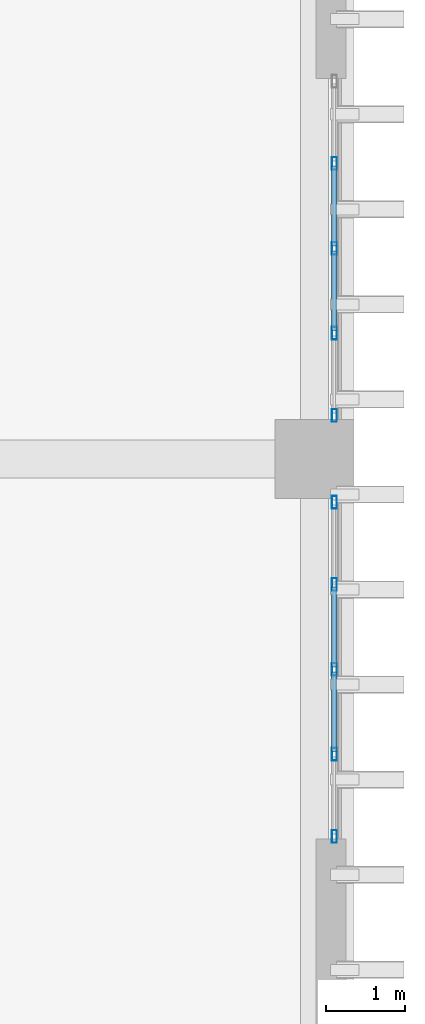
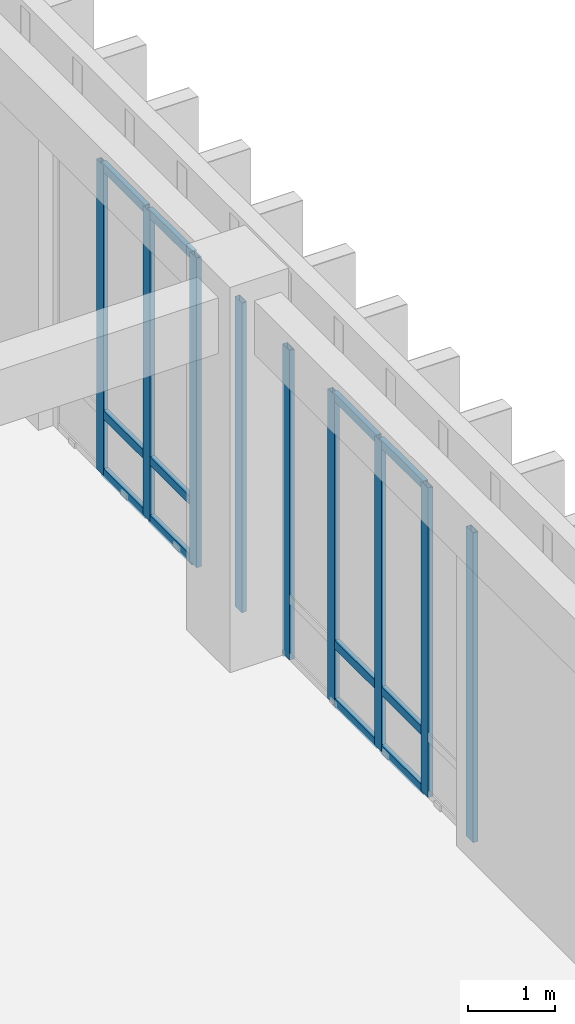
# One storey, part 62 of 134: 21 members, 2 elements without a shape of their own.
"""IFC4 building model written with IfcOpenShell, lengths in metres."""

from ifc_helpers import new_model, si_unit, direction, frame, origin, origin_2d, place, context, subcontext, project, spatial, hollow_rectangle, extrude, material, layer, layer_set, material_profile, profile_set, type_object, element, aggregate, save


model = new_model("IFC4")

# Units and contexts
model_context = context("Model", 3, precision=1e-05, world=origin(), true_north=direction((0.0, 1.0)))
body_context = subcontext(model_context, "Body", "Model", "MODEL_VIEW")
ifc_project = project(units=[si_unit("LENGTHUNIT", "METRE"), si_unit("AREAUNIT", "SQUARE_METRE"), si_unit("VOLUMEUNIT", "CUBIC_METRE"), si_unit("PLANEANGLEUNIT", "RADIAN"), si_unit("MASSUNIT", "GRAM", prefix="KILO")], contexts=[model_context])

# Site, building, storey
site_placement = place(None, origin())
site = spatial("IfcSite", under=ifc_project, at=site_placement, CompositionType="ELEMENT")
building_placement = place(site_placement, origin())
building = spatial("IfcBuilding", under=site, at=building_placement, Name="Nakhvara Creek Congress Hotel", CompositionType="ELEMENT")
storey_placement = place(building_placement, frame((0.0, 0.0, 6.0)))
storey = spatial("IfcBuildingStorey", under=building, at=storey_placement, Name="L01", CompositionType="ELEMENT", Elevation=6.0)

# Curtain wall, members
ifc_material_1 = material(Name="Bronze-anodised aluminium AW-6063-T6 and double-silver low-E glass", Category="aluminium")
ifc_layer = layer(ifc_material_1, 0.199951171875)
ifc_layer_set = layer_set([ifc_layer], Name="Bronze-anodised aluminium AW-6063-T6 and double-silver low-E glass")
curtain_wall_type = type_object("IfcCurtainWallType", Name="CW-HTL-UNIT", PredefinedType="USERDEFINED", material=ifc_layer_set)
curtain_wall_1_placement = place(storey_placement, origin())
curtain_wall_1 = element("IfcCurtainWall", 1, at=curtain_wall_1_placement, inside=storey, type_object=curtain_wall_type, Name="Curtain Wall CW108", ObjectType="UNITISED", PredefinedType="USERDEFINED")
ifc_material_2 = material(Name="Bronze-anodised aluminium AW-6063-T6", Category="aluminium")
ifc_material_profile_1 = material_profile(ifc_material_2, hollow_rectangle(XDim=0.06494140625, YDim=0.159912109375, WallThickness=0.00390625, at=origin_2d()), Name="ALU-MULL 65x160x4", Category="LoadBearing")
ifc_profile_set_1 = profile_set([ifc_material_profile_1], Name="Bronze-anodised aluminium AW-6063-T6")
member_type_1 = type_object("IfcMemberType", Name="CW-MULL-160", PredefinedType="MULLION", material=ifc_profile_set_1)
member_1_placement = place(storey_placement, frame((179.60009765625, 18.652587890625, 0.0), z_axis=(0.0, 0.0, 1.0), x_axis=(1.0, 0.0, 0.0)))
member_1 = element("IfcMember", 2, at=member_1_placement, type_object=member_type_1, Name="CW108 mullion 1", PredefinedType="MULLION", context=body_context, shape_type="SweptSolid", body=[
    extrude(hollow_rectangle(XDim=0.06494140625, YDim=0.159912109375, WallThickness=0.00390625, at=origin_2d()), origin(), (0.0, 0.0, 1.0), 4.342041015625),
])
member_2_placement = place(storey_placement, frame((179.60009765625, 17.61376953125, 0.0), z_axis=(0.0, 0.0, 1.0), x_axis=(1.0, 0.0, 0.0)))
member_2 = element("IfcMember", 3, at=member_2_placement, type_object=member_type_1, Name="CW108 mullion 2", PredefinedType="MULLION", context=body_context, shape_type="SweptSolid", body=[
    extrude(hollow_rectangle(XDim=0.06494140625, YDim=0.159912109375, WallThickness=0.00390625, at=origin_2d()), origin(), (0.0, 0.0, 1.0), 4.342041015625),
])
member_3_placement = place(storey_placement, frame((179.60009765625, 16.54248046875, 0.0), z_axis=(0.0, 0.0, 1.0), x_axis=(1.0, 0.0, 0.0)))
member_3 = element("IfcMember", 4, at=member_3_placement, type_object=member_type_1, Name="CW108 mullion 3", PredefinedType="MULLION", context=body_context, shape_type="SweptSolid", body=[
    extrude(hollow_rectangle(XDim=0.06494140625, YDim=0.159912109375, WallThickness=0.00390625, at=origin_2d()), origin(), (0.0, 0.0, 1.0), 4.342041015625),
])
member_4_placement = place(storey_placement, frame((179.60009765625, 15.47119140625, 0.0), z_axis=(0.0, 0.0, 1.0), x_axis=(1.0, 0.0, 0.0)))
member_4 = element("IfcMember", 5, at=member_4_placement, type_object=member_type_1, Name="CW108 mullion 4", PredefinedType="MULLION", context=body_context, shape_type="SweptSolid", body=[
    extrude(hollow_rectangle(XDim=0.06494140625, YDim=0.159912109375, WallThickness=0.00390625, at=origin_2d()), origin(), (0.0, 0.0, 1.0), 4.342041015625),
])
member_5_placement = place(storey_placement, frame((179.60009765625, 14.4326171875, 0.0), z_axis=(0.0, 0.0, 1.0), x_axis=(1.0, 0.0, 0.0)))
member_5 = element("IfcMember", 6, at=member_5_placement, type_object=member_type_1, Name="CW108 mullion 5", PredefinedType="MULLION", context=body_context, shape_type="SweptSolid", body=[
    extrude(hollow_rectangle(XDim=0.06494140625, YDim=0.159912109375, WallThickness=0.00390625, at=origin_2d()), origin(), (0.0, 0.0, 1.0), 4.342041015625),
])

curtain_wall_2_placement = place(storey_placement, origin())
curtain_wall_2 = element("IfcCurtainWall", 7, at=curtain_wall_2_placement, inside=storey, type_object=curtain_wall_type, Name="Curtain Wall CW109", ObjectType="UNITISED", PredefinedType="USERDEFINED")
member_6_placement = place(storey_placement, frame((179.60009765625, 22.9287109375, 0.0), z_axis=(0.0, 0.0, 1.0), x_axis=(1.0, 0.0, 0.0)))
member_6 = element("IfcMember", 8, at=member_6_placement, type_object=member_type_1, Name="CW109 mullion 2", PredefinedType="MULLION", context=body_context, shape_type="SweptSolid", body=[
    extrude(hollow_rectangle(XDim=0.06494140625, YDim=0.159912109375, WallThickness=0.00390625, at=origin_2d()), origin(), (0.0, 0.0, 1.0), 4.342041015625),
])
member_7_placement = place(storey_placement, frame((179.60009765625, 21.857421875, 0.0), z_axis=(0.0, 0.0, 1.0), x_axis=(1.0, 0.0, 0.0)))
member_7 = element("IfcMember", 9, at=member_7_placement, type_object=member_type_1, Name="CW109 mullion 3", PredefinedType="MULLION", context=body_context, shape_type="SweptSolid", body=[
    extrude(hollow_rectangle(XDim=0.06494140625, YDim=0.159912109375, WallThickness=0.00390625, at=origin_2d()), origin(), (0.0, 0.0, 1.0), 4.342041015625),
])
member_8_placement = place(storey_placement, frame((179.60009765625, 20.7861328125, 0.0), z_axis=(0.0, 0.0, 1.0), x_axis=(1.0, 0.0, 0.0)))
member_8 = element("IfcMember", 10, at=member_8_placement, type_object=member_type_1, Name="CW109 mullion 4", PredefinedType="MULLION", context=body_context, shape_type="SweptSolid", body=[
    extrude(hollow_rectangle(XDim=0.06494140625, YDim=0.159912109375, WallThickness=0.00390625, at=origin_2d()), origin(), (0.0, 0.0, 1.0), 4.342041015625),
])
member_9_placement = place(storey_placement, frame((179.60009765625, 19.74755859375, 0.0), z_axis=(0.0, 0.0, 1.0), x_axis=(1.0, 0.0, 0.0)))
member_9 = element("IfcMember", 11, at=member_9_placement, type_object=member_type_1, Name="CW109 mullion 5", PredefinedType="MULLION", context=body_context, shape_type="SweptSolid", body=[
    extrude(hollow_rectangle(XDim=0.06494140625, YDim=0.159912109375, WallThickness=0.00390625, at=origin_2d()), origin(), (0.0, 0.0, 1.0), 4.342041015625),
])

# Member
ifc_material_profile_2 = material_profile(ifc_material_2, hollow_rectangle(XDim=0.06494140625, YDim=0.1201171875, WallThickness=0.00390625, at=origin_2d()), Name="ALU-TRAN 65x120x4", Category="LoadBearing")
ifc_profile_set_2 = profile_set([ifc_material_profile_2], Name="Bronze-anodised aluminium AW-6063-T6")
member_type_2 = type_object("IfcMemberType", Name="CW-TRAN-120", PredefinedType="USERDEFINED", material=ifc_profile_set_2)
member_10_placement = place(storey_placement, frame((179.60009765625, 17.581298828125, 0.032470703125), z_axis=(0.0, -1.0, 0.0), x_axis=(1.0, 0.0, 0.0)))
member_10 = element("IfcMember", 12, at=member_10_placement, type_object=member_type_2, Name="CW108 transom 2.1", ObjectType="TRANSOM", PredefinedType="USERDEFINED", context=body_context, shape_type="SweptSolid", body=[
    extrude(hollow_rectangle(XDim=0.06494140625, YDim=0.1201171875, WallThickness=0.00390625, at=origin_2d()), origin(), (0.0, 0.0, 1.0), 1.00634765625),
])

member_11_placement = place(storey_placement, frame((179.60009765625, 17.581298828125, 0.85009765625), z_axis=(0.0, -1.0, 0.0), x_axis=(1.0, 0.0, 0.0)))
member_11 = element("IfcMember", 13, at=member_11_placement, type_object=member_type_2, Name="CW108 transom 2.2", ObjectType="TRANSOM", PredefinedType="USERDEFINED", context=body_context, shape_type="SweptSolid", body=[
    extrude(hollow_rectangle(XDim=0.06494140625, YDim=0.1201171875, WallThickness=0.00390625, at=origin_2d()), origin(), (0.0, 0.0, 1.0), 1.00634765625),
])

member_12_placement = place(storey_placement, frame((179.60009765625, 17.581298828125, 4.3095703125), z_axis=(0.0, -1.0, 0.0), x_axis=(1.0, 0.0, 0.0)))
member_12 = element("IfcMember", 14, at=member_12_placement, type_object=member_type_2, Name="CW108 transom 2.3", ObjectType="TRANSOM", PredefinedType="USERDEFINED", context=body_context, shape_type="SweptSolid", body=[
    extrude(hollow_rectangle(XDim=0.06494140625, YDim=0.1201171875, WallThickness=0.00390625, at=origin_2d()), origin(), (0.0, 0.0, 1.0), 1.00634765625),
])

member_13_placement = place(storey_placement, frame((179.60009765625, 16.510009765625, 0.032470703125), z_axis=(0.0, -1.0, 0.0), x_axis=(1.0, 0.0, 0.0)))
member_13 = element("IfcMember", 15, at=member_13_placement, type_object=member_type_2, Name="CW108 transom 3.1", ObjectType="TRANSOM", PredefinedType="USERDEFINED", context=body_context, shape_type="SweptSolid", body=[
    extrude(hollow_rectangle(XDim=0.06494140625, YDim=0.1201171875, WallThickness=0.00390625, at=origin_2d()), origin(), (0.0, 0.0, 1.0), 1.00634765625),
])

member_14_placement = place(storey_placement, frame((179.60009765625, 16.510009765625, 0.85009765625), z_axis=(0.0, -1.0, 0.0), x_axis=(1.0, 0.0, 0.0)))
member_14 = element("IfcMember", 16, at=member_14_placement, type_object=member_type_2, Name="CW108 transom 3.2", ObjectType="TRANSOM", PredefinedType="USERDEFINED", context=body_context, shape_type="SweptSolid", body=[
    extrude(hollow_rectangle(XDim=0.06494140625, YDim=0.1201171875, WallThickness=0.00390625, at=origin_2d()), origin(), (0.0, 0.0, 1.0), 1.00634765625),
])

member_15_placement = place(storey_placement, frame((179.60009765625, 16.510009765625, 4.3095703125), z_axis=(0.0, -1.0, 0.0), x_axis=(1.0, 0.0, 0.0)))
member_15 = element("IfcMember", 17, at=member_15_placement, type_object=member_type_2, Name="CW108 transom 3.3", ObjectType="TRANSOM", PredefinedType="USERDEFINED", context=body_context, shape_type="SweptSolid", body=[
    extrude(hollow_rectangle(XDim=0.06494140625, YDim=0.1201171875, WallThickness=0.00390625, at=origin_2d()), origin(), (0.0, 0.0, 1.0), 1.00634765625),
])

aggregate(curtain_wall_1, [member_1, member_2, member_3, member_4, member_5, member_10, member_11, member_12, member_13, member_14, member_15])

member_16_placement = place(storey_placement, frame((179.60009765625, 22.896240234375, 0.032470703125), z_axis=(0.0, -1.0, 0.0), x_axis=(1.0, 0.0, 0.0)))
member_16 = element("IfcMember", 18, at=member_16_placement, type_object=member_type_2, Name="CW109 transom 2.1", ObjectType="TRANSOM", PredefinedType="USERDEFINED", context=body_context, shape_type="SweptSolid", body=[
    extrude(hollow_rectangle(XDim=0.06494140625, YDim=0.1201171875, WallThickness=0.00390625, at=origin_2d()), origin(), (0.0, 0.0, 1.0), 1.00634765625),
])

member_17_placement = place(storey_placement, frame((179.60009765625, 22.896240234375, 0.85009765625), z_axis=(0.0, -1.0, 0.0), x_axis=(1.0, 0.0, 0.0)))
member_17 = element("IfcMember", 19, at=member_17_placement, type_object=member_type_2, Name="CW109 transom 2.2", ObjectType="TRANSOM", PredefinedType="USERDEFINED", context=body_context, shape_type="SweptSolid", body=[
    extrude(hollow_rectangle(XDim=0.06494140625, YDim=0.1201171875, WallThickness=0.00390625, at=origin_2d()), origin(), (0.0, 0.0, 1.0), 1.00634765625),
])

member_18_placement = place(storey_placement, frame((179.60009765625, 22.896240234375, 4.3095703125), z_axis=(0.0, -1.0, 0.0), x_axis=(1.0, 0.0, 0.0)))
member_18 = element("IfcMember", 20, at=member_18_placement, type_object=member_type_2, Name="CW109 transom 2.3", ObjectType="TRANSOM", PredefinedType="USERDEFINED", context=body_context, shape_type="SweptSolid", body=[
    extrude(hollow_rectangle(XDim=0.06494140625, YDim=0.1201171875, WallThickness=0.00390625, at=origin_2d()), origin(), (0.0, 0.0, 1.0), 1.00634765625),
])

member_19_placement = place(storey_placement, frame((179.60009765625, 21.824951171875, 0.032470703125), z_axis=(0.0, -1.0, 0.0), x_axis=(1.0, 0.0, 0.0)))
member_19 = element("IfcMember", 21, at=member_19_placement, type_object=member_type_2, Name="CW109 transom 3.1", ObjectType="TRANSOM", PredefinedType="USERDEFINED", context=body_context, shape_type="SweptSolid", body=[
    extrude(hollow_rectangle(XDim=0.06494140625, YDim=0.1201171875, WallThickness=0.00390625, at=origin_2d()), origin(), (0.0, 0.0, 1.0), 1.006103515625),
])

member_20_placement = place(storey_placement, frame((179.60009765625, 21.824951171875, 0.85009765625), z_axis=(0.0, -1.0, 0.0), x_axis=(1.0, 0.0, 0.0)))
member_20 = element("IfcMember", 22, at=member_20_placement, type_object=member_type_2, Name="CW109 transom 3.2", ObjectType="TRANSOM", PredefinedType="USERDEFINED", context=body_context, shape_type="SweptSolid", body=[
    extrude(hollow_rectangle(XDim=0.06494140625, YDim=0.1201171875, WallThickness=0.00390625, at=origin_2d()), origin(), (0.0, 0.0, 1.0), 1.006103515625),
])

member_21_placement = place(storey_placement, frame((179.60009765625, 21.824951171875, 4.3095703125), z_axis=(0.0, -1.0, 0.0), x_axis=(1.0, 0.0, 0.0)))
member_21 = element("IfcMember", 23, at=member_21_placement, type_object=member_type_2, Name="CW109 transom 3.3", ObjectType="TRANSOM", PredefinedType="USERDEFINED", context=body_context, shape_type="SweptSolid", body=[
    extrude(hollow_rectangle(XDim=0.06494140625, YDim=0.1201171875, WallThickness=0.00390625, at=origin_2d()), origin(), (0.0, 0.0, 1.0), 1.006103515625),
])

aggregate(curtain_wall_2, [member_6, member_7, member_8, member_9, member_16, member_17, member_18, member_19, member_20, member_21])

save(model, "model.ifc")
